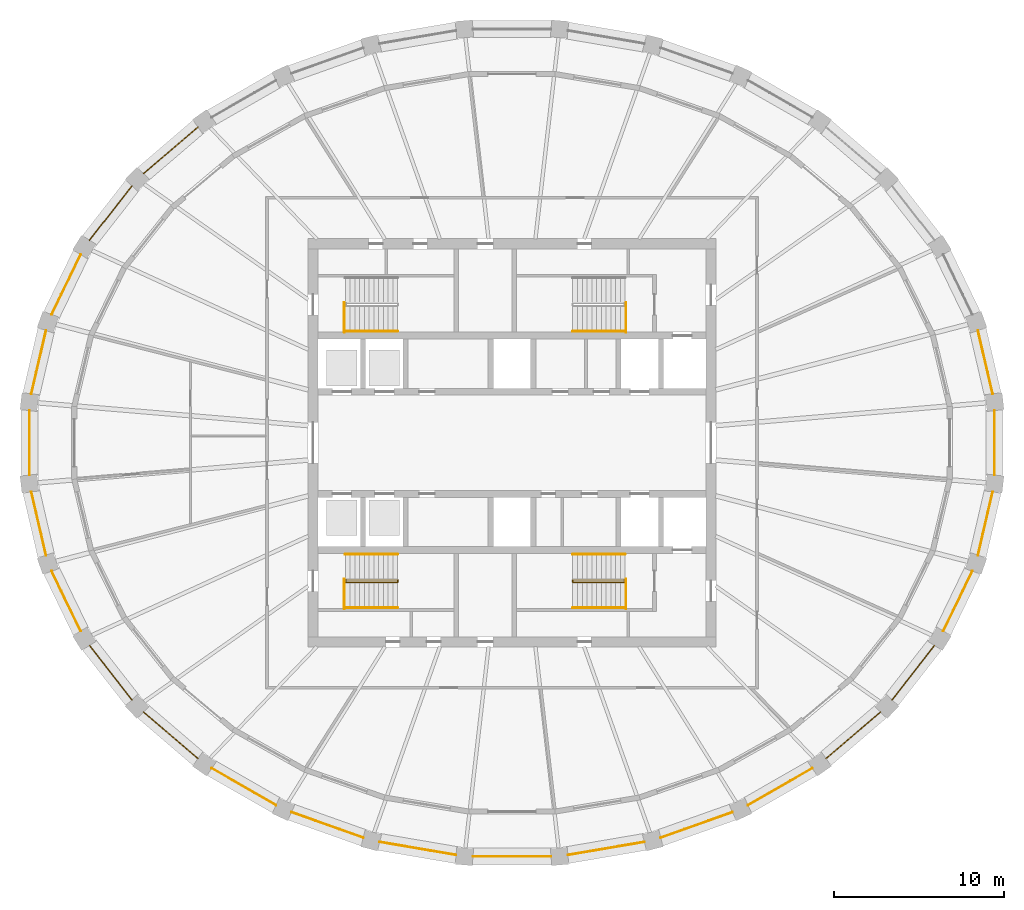
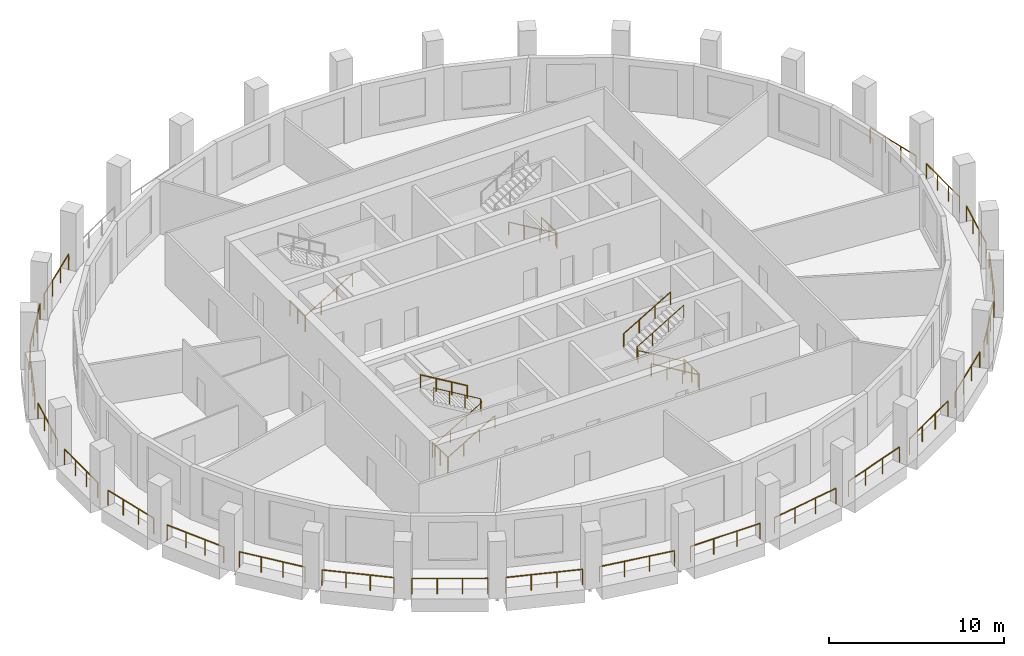
# One storey, part 8 of 10: 34 railings.
"""IFC4 building model written with IfcOpenShell, lengths in metres."""

from ifc_helpers import new_model, si_unit, direction, frame, origin, origin_2d, place, context, subcontext, project, spatial, circle, extrude, material, type_object, element, save


model = new_model("IFC4")

# Units and contexts
model_context = context("Model", 3, precision=1e-05, world=origin(), true_north=direction((0.0, 1.0)))
body_context = subcontext(model_context, "Body", "Model", "MODEL_VIEW")
ifc_project = project(units=[si_unit("LENGTHUNIT", "METRE"), si_unit("AREAUNIT", "SQUARE_METRE"), si_unit("VOLUMEUNIT", "CUBIC_METRE"), si_unit("PLANEANGLEUNIT", "RADIAN"), si_unit("MASSUNIT", "GRAM", prefix="KILO")], contexts=[model_context])

# Site, building, storey
site_placement = place(None, origin())
site = spatial("IfcSite", under=ifc_project, at=site_placement, CompositionType="ELEMENT")
building_placement = place(site_placement, origin())
building = spatial("IfcBuilding", under=site, at=building_placement, Name="Halqa Exchange Tower", CompositionType="ELEMENT")
storey_placement = place(building_placement, frame((0.0, 0.0, 316.300048828125)))
storey = spatial("IfcBuildingStorey", under=building, at=storey_placement, Name="L74", CompositionType="ELEMENT", Elevation=316.300048828125)

# Railings
ifc_material = material(Name="Stainless steel", Category="steel")
railing_type_1 = type_object("IfcRailingType", Name="Guard 1100 stainless steel", PredefinedType="GUARDRAIL", material=ifc_material)
railing_1_placement = place(storey_placement, frame((28.249755859375, 2.881591796875, 0.0)))
element("IfcRailing", 1, at=railing_1_placement, inside=storey, type_object=railing_type_1, Name="Loggia guard 1", PredefinedType="GUARDRAIL", context=body_context, shape_type="SweptSolid", body=[
    extrude(circle(Radius=0.02392578125, at=origin_2d()), frame((0.0, 0.0, 1.076171875), z_axis=(-0.226100478953, 0.97410398491, 0.0), x_axis=(-0.97410398491, -0.226100478953, 0.0)), (0.0, 0.0, 1.0), 3.8212890625),
    extrude(circle(Radius=0.02099609375, at=origin_2d()), origin(), (0.0, 0.0, 1.0), 1.052001953125),
    extrude(circle(Radius=0.02099609375, at=origin_2d()), frame((-0.2880859375, 1.24072265625, 0.0)), (0.0, 0.0, 1.0), 1.052001953125),
    extrude(circle(Radius=0.02099609375, at=origin_2d()), frame((-0.575927734375, 2.481689453125, 0.0)), (0.0, 0.0, 1.0), 1.052001953125),
    extrude(circle(Radius=0.02099609375, at=origin_2d()), frame((-0.864013671875, 3.722412109375, 0.0)), (0.0, 0.0, 1.0), 1.052001953125),
])
railing_2_placement = place(storey_placement, frame((-18.459716796875, 18.55810546875, 0.0)))
element("IfcRailing", 2, at=railing_2_placement, inside=storey, type_object=railing_type_1, Name="Loggia guard 12", PredefinedType="GUARDRAIL", context=body_context, shape_type="SweptSolid", body=[
    extrude(circle(Radius=0.02392578125, at=origin_2d()), frame((0.0, 0.0, 1.076171875), z_axis=(-0.75927300229, -0.650772239723, 0.0), x_axis=(0.650772239723, -0.75927300229, 0.0)), (0.0, 0.0, 1.0), 4.203125),
    extrude(circle(Radius=0.02099609375, at=origin_2d()), origin(), (0.0, 0.0, 1.0), 1.052001953125),
    extrude(circle(Radius=0.02099609375, at=origin_2d()), frame((-1.063720703125, -0.911865234375, 0.0)), (0.0, 0.0, 1.0), 1.052001953125),
    extrude(circle(Radius=0.02099609375, at=origin_2d()), frame((-2.127685546875, -1.823486328125, 0.0)), (0.0, 0.0, 1.0), 1.052001953125),
    extrude(circle(Radius=0.02099609375, at=origin_2d()), frame((-3.19140625, -2.7353515625, 0.0)), (0.0, 0.0, 1.0), 1.052001953125),
])
railing_3_placement = place(storey_placement, frame((-22.338134765625, 15.10302734375, 0.0)))
element("IfcRailing", 3, at=railing_3_placement, inside=storey, type_object=railing_type_1, Name="Loggia guard 13", PredefinedType="GUARDRAIL", context=body_context, shape_type="SweptSolid", body=[
    extrude(circle(Radius=0.02392578125, at=origin_2d()), frame((0.0, 0.0, 1.076171875), z_axis=(-0.614821078368, -0.788666622594, 0.0), x_axis=(0.788666622594, -0.614821078368, 0.0)), (0.0, 0.0, 1.0), 4.048828125),
    extrude(circle(Radius=0.02099609375, at=origin_2d()), origin(), (0.0, 0.0, 1.0), 1.052001953125),
    extrude(circle(Radius=0.02099609375, at=origin_2d()), frame((-0.829833984375, -1.064453125, 0.0)), (0.0, 0.0, 1.0), 1.052001953125),
    extrude(circle(Radius=0.02099609375, at=origin_2d()), frame((-1.659423828125, -2.128662109375, 0.0)), (0.0, 0.0, 1.0), 1.052001953125),
    extrude(circle(Radius=0.02099609375, at=origin_2d()), frame((-2.4892578125, -3.193115234375, 0.0)), (0.0, 0.0, 1.0), 1.052001953125),
])
railing_4_placement = place(storey_placement, frame((-25.352294921875, 11.0654296875, 0.0)))
element("IfcRailing", 4, at=railing_4_placement, inside=storey, type_object=railing_type_1, Name="Loggia guard 14", PredefinedType="GUARDRAIL", context=body_context, shape_type="SweptSolid", body=[
    extrude(circle(Radius=0.02392578125, at=origin_2d()), frame((0.0, 0.0, 1.076171875), z_axis=(-0.435146748862, -0.900359543158, 0.0), x_axis=(0.900359543158, -0.435146748862, 0.0)), (0.0, 0.0, 1.0), 3.913818359375),
    extrude(circle(Radius=0.02099609375, at=origin_2d()), origin(), (0.0, 0.0, 1.0), 1.052001953125),
    extrude(circle(Radius=0.02099609375, at=origin_2d()), frame((-0.567626953125, -1.174560546875, 0.0)), (0.0, 0.0, 1.0), 1.052001953125),
    extrude(circle(Radius=0.02099609375, at=origin_2d()), frame((-1.135498046875, -2.349365234375, 0.0)), (0.0, 0.0, 1.0), 1.052001953125),
    extrude(circle(Radius=0.02099609375, at=origin_2d()), frame((-1.703125, -3.52392578125, 0.0)), (0.0, 0.0, 1.0), 1.052001953125),
])
railing_5_placement = place(storey_placement, frame((-27.3857421875, 6.60400390625, 0.0)))
element("IfcRailing", 5, at=railing_5_placement, inside=storey, type_object=railing_type_1, Name="Loggia guard 15", PredefinedType="GUARDRAIL", context=body_context, shape_type="SweptSolid", body=[
    extrude(circle(Radius=0.02392578125, at=origin_2d()), frame((0.0, 0.0, 1.076171875), z_axis=(-0.226100478953, -0.97410398491, 0.0), x_axis=(0.97410398491, -0.226100478953, 0.0)), (0.0, 0.0, 1.0), 3.8212890625),
    extrude(circle(Radius=0.02099609375, at=origin_2d()), origin(), (0.0, 0.0, 1.0), 1.052001953125),
    extrude(circle(Radius=0.02099609375, at=origin_2d()), frame((-0.2880859375, -1.24072265625, 0.0)), (0.0, 0.0, 1.0), 1.052001953125),
    extrude(circle(Radius=0.02099609375, at=origin_2d()), frame((-0.575927734375, -2.481689453125, 0.0)), (0.0, 0.0, 1.0), 1.052001953125),
    extrude(circle(Radius=0.02099609375, at=origin_2d()), frame((-0.864013671875, -3.722412109375, 0.0)), (0.0, 0.0, 1.0), 1.052001953125),
])
railing_6_placement = place(storey_placement, frame((-28.36279296875, 1.894287109375, 0.0)))
element("IfcRailing", 6, at=railing_6_placement, inside=storey, type_object=railing_type_1, Name="Loggia guard 16", PredefinedType="GUARDRAIL", context=body_context, shape_type="SweptSolid", body=[
    extrude(circle(Radius=0.02392578125, at=origin_2d()), frame((0.0, 0.0, 1.076171875), z_axis=(0.0, -1.0, 0.0), x_axis=(1.0, 0.0, 0.0)), (0.0, 0.0, 1.0), 3.78857421875),
    extrude(circle(Radius=0.02099609375, at=origin_2d()), origin(), (0.0, 0.0, 1.0), 1.052001953125),
    extrude(circle(Radius=0.02099609375, at=origin_2d()), frame((0.0, -1.262939453125, 0.0)), (0.0, 0.0, 1.0), 1.052001953125),
    extrude(circle(Radius=0.02099609375, at=origin_2d()), frame((0.0, -2.525634765625, 0.0)), (0.0, 0.0, 1.0), 1.052001953125),
    extrude(circle(Radius=0.02099609375, at=origin_2d()), frame((0.0, -3.78857421875, 0.0)), (0.0, 0.0, 1.0), 1.052001953125),
])
railing_7_placement = place(storey_placement, frame((-28.249755859375, -2.881591796875, 0.0)))
element("IfcRailing", 7, at=railing_7_placement, inside=storey, type_object=railing_type_1, Name="Loggia guard 17", PredefinedType="GUARDRAIL", context=body_context, shape_type="SweptSolid", body=[
    extrude(circle(Radius=0.02392578125, at=origin_2d()), frame((0.0, 0.0, 1.076171875), z_axis=(0.226100478953, -0.97410398491, 0.0), x_axis=(0.97410398491, 0.226100478953, 0.0)), (0.0, 0.0, 1.0), 3.8212890625),
    extrude(circle(Radius=0.02099609375, at=origin_2d()), origin(), (0.0, 0.0, 1.0), 1.052001953125),
    extrude(circle(Radius=0.02099609375, at=origin_2d()), frame((0.2880859375, -1.24072265625, 0.0)), (0.0, 0.0, 1.0), 1.052001953125),
    extrude(circle(Radius=0.02099609375, at=origin_2d()), frame((0.575927734375, -2.481689453125, 0.0)), (0.0, 0.0, 1.0), 1.052001953125),
    extrude(circle(Radius=0.02099609375, at=origin_2d()), frame((0.864013671875, -3.722412109375, 0.0)), (0.0, 0.0, 1.0), 1.052001953125),
])
railing_8_placement = place(storey_placement, frame((-27.055419921875, -7.54150390625, 0.0)))
element("IfcRailing", 8, at=railing_8_placement, inside=storey, type_object=railing_type_1, Name="Loggia guard 18", PredefinedType="GUARDRAIL", context=body_context, shape_type="SweptSolid", body=[
    extrude(circle(Radius=0.02392578125, at=origin_2d()), frame((0.0, 0.0, 1.076171875), z_axis=(0.435146748862, -0.900359543158, 0.0), x_axis=(0.900359543158, 0.435146748862, 0.0)), (0.0, 0.0, 1.0), 3.913818359375),
    extrude(circle(Radius=0.02099609375, at=origin_2d()), origin(), (0.0, 0.0, 1.0), 1.052001953125),
    extrude(circle(Radius=0.02099609375, at=origin_2d()), frame((0.567626953125, -1.174560546875, 0.0)), (0.0, 0.0, 1.0), 1.052001953125),
    extrude(circle(Radius=0.02099609375, at=origin_2d()), frame((1.135498046875, -2.349365234375, 0.0)), (0.0, 0.0, 1.0), 1.052001953125),
    extrude(circle(Radius=0.02099609375, at=origin_2d()), frame((1.703125, -3.52392578125, 0.0)), (0.0, 0.0, 1.0), 1.052001953125),
])
railing_9_placement = place(storey_placement, frame((-24.827392578125, -11.909912109375, 0.0)))
element("IfcRailing", 9, at=railing_9_placement, inside=storey, type_object=railing_type_1, Name="Loggia guard 19", PredefinedType="GUARDRAIL", context=body_context, shape_type="SweptSolid", body=[
    extrude(circle(Radius=0.02392578125, at=origin_2d()), frame((0.0, 0.0, 1.076171875), z_axis=(0.614821078368, -0.788666622594, 0.0), x_axis=(0.788666622594, 0.614821078368, 0.0)), (0.0, 0.0, 1.0), 4.048828125),
    extrude(circle(Radius=0.02099609375, at=origin_2d()), origin(), (0.0, 0.0, 1.0), 1.052001953125),
    extrude(circle(Radius=0.02099609375, at=origin_2d()), frame((0.829833984375, -1.064453125, 0.0)), (0.0, 0.0, 1.0), 1.052001953125),
    extrude(circle(Radius=0.02099609375, at=origin_2d()), frame((1.659423828125, -2.128662109375, 0.0)), (0.0, 0.0, 1.0), 1.052001953125),
    extrude(circle(Radius=0.02099609375, at=origin_2d()), frame((2.4892578125, -3.193115234375, 0.0)), (0.0, 0.0, 1.0), 1.052001953125),
])
railing_10_placement = place(storey_placement, frame((-21.651123046875, -15.82275390625, 0.0)))
element("IfcRailing", 10, at=railing_10_placement, inside=storey, type_object=railing_type_1, Name="Loggia guard 20", PredefinedType="GUARDRAIL", context=body_context, shape_type="SweptSolid", body=[
    extrude(circle(Radius=0.02392578125, at=origin_2d()), frame((0.0, 0.0, 1.076171875), z_axis=(0.75927300229, -0.650772239723, 0.0), x_axis=(0.650772239723, 0.75927300229, 0.0)), (0.0, 0.0, 1.0), 4.203125),
    extrude(circle(Radius=0.02099609375, at=origin_2d()), origin(), (0.0, 0.0, 1.0), 1.052001953125),
    extrude(circle(Radius=0.02099609375, at=origin_2d()), frame((1.063720703125, -0.911865234375, 0.0)), (0.0, 0.0, 1.0), 1.052001953125),
    extrude(circle(Radius=0.02099609375, at=origin_2d()), frame((2.127685546875, -1.823486328125, 0.0)), (0.0, 0.0, 1.0), 1.052001953125),
    extrude(circle(Radius=0.02099609375, at=origin_2d()), frame((3.19140625, -2.7353515625, 0.0)), (0.0, 0.0, 1.0), 1.052001953125),
])
railing_11_placement = place(storey_placement, frame((-17.646240234375, -19.132080078125, 0.0)))
element("IfcRailing", 11, at=railing_11_placement, inside=storey, type_object=railing_type_1, Name="Loggia guard 21", PredefinedType="GUARDRAIL", context=body_context, shape_type="SweptSolid", body=[
    extrude(circle(Radius=0.02392578125, at=origin_2d()), frame((0.0, 0.0, 1.076171875), z_axis=(0.867752650497, -0.496996315434, 0.0), x_axis=(0.496996315434, 0.867752650497, 0.0)), (0.0, 0.0, 1.0), 4.353271484375),
    extrude(circle(Radius=0.02099609375, at=origin_2d()), origin(), (0.0, 0.0, 1.0), 1.052001953125),
    extrude(circle(Radius=0.02099609375, at=origin_2d()), frame((1.25927734375, -0.72119140625, 0.0)), (0.0, 0.0, 1.0), 1.052001953125),
    extrude(circle(Radius=0.02099609375, at=origin_2d()), frame((2.518310546875, -1.4423828125, 0.0)), (0.0, 0.0, 1.0), 1.052001953125),
    extrude(circle(Radius=0.02099609375, at=origin_2d()), frame((3.777587890625, -2.16357421875, 0.0)), (0.0, 0.0, 1.0), 1.052001953125),
])
railing_12_placement = place(storey_placement, frame((-12.963623046875, -21.71142578125, 0.0)))
element("IfcRailing", 12, at=railing_12_placement, inside=storey, type_object=railing_type_1, Name="Loggia guard 22", PredefinedType="GUARDRAIL", context=body_context, shape_type="SweptSolid", body=[
    extrude(circle(Radius=0.02392578125, at=origin_2d()), frame((0.0, 0.0, 1.076171875), z_axis=(0.942364531835, -0.334587939321, 0.0), x_axis=(0.334587939321, 0.942364531835, 0.0)), (0.0, 0.0, 1.0), 4.477294921875),
    extrude(circle(Radius=0.02099609375, at=origin_2d()), origin(), (0.0, 0.0, 1.0), 1.052001953125),
    extrude(circle(Radius=0.02099609375, at=origin_2d()), frame((1.406494140625, -0.499267578125, 0.0)), (0.0, 0.0, 1.0), 1.052001953125),
    extrude(circle(Radius=0.02099609375, at=origin_2d()), frame((2.812744140625, -0.998779296875, 0.0)), (0.0, 0.0, 1.0), 1.052001953125),
    extrude(circle(Radius=0.02099609375, at=origin_2d()), frame((4.21923828125, -1.498046875, 0.0)), (0.0, 0.0, 1.0), 1.052001953125),
])
railing_13_placement = place(storey_placement, frame((-7.7802734375, -23.460693359375, 0.0)))
element("IfcRailing", 13, at=railing_13_placement, inside=storey, type_object=railing_type_1, Name="Loggia guard 23", PredefinedType="GUARDRAIL", context=body_context, shape_type="SweptSolid", body=[
    extrude(circle(Radius=0.02392578125, at=origin_2d()), frame((0.0, 0.0, 1.076171875), z_axis=(0.985768911013, -0.168106079843, 0.0), x_axis=(0.168106079843, 0.985768911013, 0.0)), (0.0, 0.0, 1.0), 4.558837890625),
    extrude(circle(Radius=0.02099609375, at=origin_2d()), origin(), (0.0, 0.0, 1.0), 1.052001953125),
    extrude(circle(Radius=0.02099609375, at=origin_2d()), frame((1.498046875, -0.25537109375, 0.0)), (0.0, 0.0, 1.0), 1.052001953125),
    extrude(circle(Radius=0.02099609375, at=origin_2d()), frame((2.995849609375, -0.510986328125, 0.0)), (0.0, 0.0, 1.0), 1.052001953125),
    extrude(circle(Radius=0.02099609375, at=origin_2d()), frame((4.493896484375, -0.766357421875, 0.0)), (0.0, 0.0, 1.0), 1.052001953125),
])
railing_14_placement = place(storey_placement, frame((-2.29345703125, -24.31103515625, 0.0)))
element("IfcRailing", 14, at=railing_14_placement, inside=storey, type_object=railing_type_1, Name="Loggia guard 24", PredefinedType="GUARDRAIL", context=body_context, shape_type="SweptSolid", body=[
    extrude(circle(Radius=0.02392578125, at=origin_2d()), frame((0.0, 0.0, 1.076171875), z_axis=(1.0, 0.0, 0.0), x_axis=(0.0, 1.0, 0.0)), (0.0, 0.0, 1.0), 4.5869140625),
    extrude(circle(Radius=0.02099609375, at=origin_2d()), origin(), (0.0, 0.0, 1.0), 1.052001953125),
    extrude(circle(Radius=0.02099609375, at=origin_2d()), frame((1.529052734375, 0.0, 0.0)), (0.0, 0.0, 1.0), 1.052001953125),
    extrude(circle(Radius=0.02099609375, at=origin_2d()), frame((3.057861328125, 0.0, 0.0)), (0.0, 0.0, 1.0), 1.052001953125),
    extrude(circle(Radius=0.02099609375, at=origin_2d()), frame((4.5869140625, 0.0, 0.0)), (0.0, 0.0, 1.0), 1.052001953125),
])
railing_15_placement = place(storey_placement, frame((3.286376953125, -24.22705078125, 0.0)))
element("IfcRailing", 15, at=railing_15_placement, inside=storey, type_object=railing_type_1, Name="Loggia guard 25", PredefinedType="GUARDRAIL", context=body_context, shape_type="SweptSolid", body=[
    extrude(circle(Radius=0.02392578125, at=origin_2d()), frame((0.0, 0.0, 1.076171875), z_axis=(0.985768911013, 0.168106079843, 0.0), x_axis=(-0.168106079843, 0.985768911013, 0.0)), (0.0, 0.0, 1.0), 4.558837890625),
    extrude(circle(Radius=0.02099609375, at=origin_2d()), origin(), (0.0, 0.0, 1.0), 1.052001953125),
    extrude(circle(Radius=0.02099609375, at=origin_2d()), frame((1.498046875, 0.25537109375, 0.0)), (0.0, 0.0, 1.0), 1.052001953125),
    extrude(circle(Radius=0.02099609375, at=origin_2d()), frame((2.995849609375, 0.510986328125, 0.0)), (0.0, 0.0, 1.0), 1.052001953125),
    extrude(circle(Radius=0.02099609375, at=origin_2d()), frame((4.493896484375, 0.766357421875, 0.0)), (0.0, 0.0, 1.0), 1.052001953125),
])
railing_16_placement = place(storey_placement, frame((8.744384765625, -23.20947265625, 0.0)))
element("IfcRailing", 16, at=railing_16_placement, inside=storey, type_object=railing_type_1, Name="Loggia guard 26", PredefinedType="GUARDRAIL", context=body_context, shape_type="SweptSolid", body=[
    extrude(circle(Radius=0.02392578125, at=origin_2d()), frame((0.0, 0.0, 1.076171875), z_axis=(0.942364531835, 0.334587939321, 0.0), x_axis=(-0.334587939321, 0.942364531835, 0.0)), (0.0, 0.0, 1.0), 4.477294921875),
    extrude(circle(Radius=0.02099609375, at=origin_2d()), origin(), (0.0, 0.0, 1.0), 1.052001953125),
    extrude(circle(Radius=0.02099609375, at=origin_2d()), frame((1.406494140625, 0.499267578125, 0.0)), (0.0, 0.0, 1.0), 1.052001953125),
    extrude(circle(Radius=0.02099609375, at=origin_2d()), frame((2.812744140625, 0.998779296875, 0.0)), (0.0, 0.0, 1.0), 1.052001953125),
    extrude(circle(Radius=0.02099609375, at=origin_2d()), frame((4.21923828125, 1.498046875, 0.0)), (0.0, 0.0, 1.0), 1.052001953125),
])
railing_17_placement = place(storey_placement, frame((13.86865234375, -21.295654296875, 0.0)))
element("IfcRailing", 17, at=railing_17_placement, inside=storey, type_object=railing_type_1, Name="Loggia guard 27", PredefinedType="GUARDRAIL", context=body_context, shape_type="SweptSolid", body=[
    extrude(circle(Radius=0.02392578125, at=origin_2d()), frame((0.0, 0.0, 1.076171875), z_axis=(0.867752650497, 0.496996315434, 0.0), x_axis=(-0.496996315434, 0.867752650497, 0.0)), (0.0, 0.0, 1.0), 4.353271484375),
    extrude(circle(Radius=0.02099609375, at=origin_2d()), origin(), (0.0, 0.0, 1.0), 1.052001953125),
    extrude(circle(Radius=0.02099609375, at=origin_2d()), frame((1.25927734375, 0.72119140625, 0.0)), (0.0, 0.0, 1.0), 1.052001953125),
    extrude(circle(Radius=0.02099609375, at=origin_2d()), frame((2.518310546875, 1.4423828125, 0.0)), (0.0, 0.0, 1.0), 1.052001953125),
    extrude(circle(Radius=0.02099609375, at=origin_2d()), frame((3.777587890625, 2.16357421875, 0.0)), (0.0, 0.0, 1.0), 1.052001953125),
])
railing_18_placement = place(storey_placement, frame((18.459716796875, -18.55810546875, 0.0)))
element("IfcRailing", 18, at=railing_18_placement, inside=storey, type_object=railing_type_1, Name="Loggia guard 28", PredefinedType="GUARDRAIL", context=body_context, shape_type="SweptSolid", body=[
    extrude(circle(Radius=0.02392578125, at=origin_2d()), frame((0.0, 0.0, 1.076171875), z_axis=(0.75927300229, 0.650772239723, 0.0), x_axis=(-0.650772239723, 0.75927300229, 0.0)), (0.0, 0.0, 1.0), 4.203125),
    extrude(circle(Radius=0.02099609375, at=origin_2d()), origin(), (0.0, 0.0, 1.0), 1.052001953125),
    extrude(circle(Radius=0.02099609375, at=origin_2d()), frame((1.063720703125, 0.911865234375, 0.0)), (0.0, 0.0, 1.0), 1.052001953125),
    extrude(circle(Radius=0.02099609375, at=origin_2d()), frame((2.127685546875, 1.823486328125, 0.0)), (0.0, 0.0, 1.0), 1.052001953125),
    extrude(circle(Radius=0.02099609375, at=origin_2d()), frame((3.19140625, 2.7353515625, 0.0)), (0.0, 0.0, 1.0), 1.052001953125),
])
railing_19_placement = place(storey_placement, frame((22.338134765625, -15.10302734375, 0.0)))
element("IfcRailing", 19, at=railing_19_placement, inside=storey, type_object=railing_type_1, Name="Loggia guard 29", PredefinedType="GUARDRAIL", context=body_context, shape_type="SweptSolid", body=[
    extrude(circle(Radius=0.02392578125, at=origin_2d()), frame((0.0, 0.0, 1.076171875), z_axis=(0.614821078368, 0.788666622594, 0.0), x_axis=(-0.788666622594, 0.614821078368, 0.0)), (0.0, 0.0, 1.0), 4.048828125),
    extrude(circle(Radius=0.02099609375, at=origin_2d()), origin(), (0.0, 0.0, 1.0), 1.052001953125),
    extrude(circle(Radius=0.02099609375, at=origin_2d()), frame((0.829833984375, 1.064453125, 0.0)), (0.0, 0.0, 1.0), 1.052001953125),
    extrude(circle(Radius=0.02099609375, at=origin_2d()), frame((1.659423828125, 2.128662109375, 0.0)), (0.0, 0.0, 1.0), 1.052001953125),
    extrude(circle(Radius=0.02099609375, at=origin_2d()), frame((2.4892578125, 3.193115234375, 0.0)), (0.0, 0.0, 1.0), 1.052001953125),
])
railing_20_placement = place(storey_placement, frame((25.352294921875, -11.0654296875, 0.0)))
element("IfcRailing", 20, at=railing_20_placement, inside=storey, type_object=railing_type_1, Name="Loggia guard 30", PredefinedType="GUARDRAIL", context=body_context, shape_type="SweptSolid", body=[
    extrude(circle(Radius=0.02392578125, at=origin_2d()), frame((0.0, 0.0, 1.076171875), z_axis=(0.435146748862, 0.900359543158, 0.0), x_axis=(-0.900359543158, 0.435146748862, 0.0)), (0.0, 0.0, 1.0), 3.913818359375),
    extrude(circle(Radius=0.02099609375, at=origin_2d()), origin(), (0.0, 0.0, 1.0), 1.052001953125),
    extrude(circle(Radius=0.02099609375, at=origin_2d()), frame((0.567626953125, 1.174560546875, 0.0)), (0.0, 0.0, 1.0), 1.052001953125),
    extrude(circle(Radius=0.02099609375, at=origin_2d()), frame((1.135498046875, 2.349365234375, 0.0)), (0.0, 0.0, 1.0), 1.052001953125),
    extrude(circle(Radius=0.02099609375, at=origin_2d()), frame((1.703125, 3.52392578125, 0.0)), (0.0, 0.0, 1.0), 1.052001953125),
])
railing_21_placement = place(storey_placement, frame((27.3857421875, -6.60400390625, 0.0)))
element("IfcRailing", 21, at=railing_21_placement, inside=storey, type_object=railing_type_1, Name="Loggia guard 31", PredefinedType="GUARDRAIL", context=body_context, shape_type="SweptSolid", body=[
    extrude(circle(Radius=0.02392578125, at=origin_2d()), frame((0.0, 0.0, 1.076171875), z_axis=(0.226100478953, 0.97410398491, 0.0), x_axis=(-0.97410398491, 0.226100478953, 0.0)), (0.0, 0.0, 1.0), 3.8212890625),
    extrude(circle(Radius=0.02099609375, at=origin_2d()), origin(), (0.0, 0.0, 1.0), 1.052001953125),
    extrude(circle(Radius=0.02099609375, at=origin_2d()), frame((0.2880859375, 1.24072265625, 0.0)), (0.0, 0.0, 1.0), 1.052001953125),
    extrude(circle(Radius=0.02099609375, at=origin_2d()), frame((0.575927734375, 2.481689453125, 0.0)), (0.0, 0.0, 1.0), 1.052001953125),
    extrude(circle(Radius=0.02099609375, at=origin_2d()), frame((0.864013671875, 3.722412109375, 0.0)), (0.0, 0.0, 1.0), 1.052001953125),
])
railing_22_placement = place(storey_placement, frame((28.36279296875, -1.894287109375, 0.0)))
element("IfcRailing", 22, at=railing_22_placement, inside=storey, type_object=railing_type_1, Name="Loggia guard 32", PredefinedType="GUARDRAIL", context=body_context, shape_type="SweptSolid", body=[
    extrude(circle(Radius=0.02392578125, at=origin_2d()), frame((0.0, 0.0, 1.076171875), z_axis=(0.0, 1.0, 0.0), x_axis=(-1.0, 0.0, 0.0)), (0.0, 0.0, 1.0), 3.78857421875),
    extrude(circle(Radius=0.02099609375, at=origin_2d()), origin(), (0.0, 0.0, 1.0), 1.052001953125),
    extrude(circle(Radius=0.02099609375, at=origin_2d()), frame((0.0, 1.262939453125, 0.0)), (0.0, 0.0, 1.0), 1.052001953125),
    extrude(circle(Radius=0.02099609375, at=origin_2d()), frame((0.0, 2.525634765625, 0.0)), (0.0, 0.0, 1.0), 1.052001953125),
    extrude(circle(Radius=0.02099609375, at=origin_2d()), frame((0.0, 3.78857421875, 0.0)), (0.0, 0.0, 1.0), 1.052001953125),
])
railing_type_2 = type_object("IfcRailingType", Name="Stair handrail 900", PredefinedType="HANDRAIL", material=ifc_material)
railing_23_placement = place(storey_placement, frame((-9.800048828125, 6.550048828125, 0.166748046875)))
element("IfcRailing", 23, at=railing_23_placement, inside=storey, type_object=railing_type_2, Name="Handrail ST1.2", PredefinedType="HANDRAIL", context=body_context, shape_type="SweptSolid", body=[
    extrude(circle(Radius=0.02392578125, at=origin_2d()), frame((0.0, 0.0, 0.8759765625), z_axis=(0.859308565015, 0.0, 0.511457515432), x_axis=(0.0, 1.0, 0.0)), (0.0, 0.0, 1.0), 3.58447265625),
    extrude(circle(Radius=0.02099609375, at=origin_2d()), origin(), (0.0, 0.0, 1.0), 0.851806640625),
    extrude(circle(Radius=0.02099609375, at=origin_2d()), frame((1.026611328125, 0.0, 0.611083984375)), (0.0, 0.0, 1.0), 0.851806640625),
    extrude(circle(Radius=0.02099609375, at=origin_2d()), frame((2.053466796875, 0.0, 1.22216796875)), (0.0, 0.0, 1.0), 0.851806640625),
    extrude(circle(Radius=0.02099609375, at=origin_2d()), frame((3.080078125, 0.0, 1.833251953125)), (0.0, 0.0, 1.0), 0.851806640625),
])
railing_24_placement = place(storey_placement, frame((6.64990234375, 6.550048828125, 0.166748046875)))
element("IfcRailing", 24, at=railing_24_placement, inside=storey, type_object=railing_type_2, Name="Handrail ST2.2", PredefinedType="HANDRAIL", context=body_context, shape_type="SweptSolid", body=[
    extrude(circle(Radius=0.02392578125, at=origin_2d()), frame((0.0, 0.0, 0.8759765625), z_axis=(-0.859290745958, 0.0, 0.51148745235), x_axis=(0.0, -1.0, 0.0)), (0.0, 0.0, 1.0), 3.584228515625),
    extrude(circle(Radius=0.02099609375, at=origin_2d()), origin(), (0.0, 0.0, 1.0), 0.851806640625),
    extrude(circle(Radius=0.02099609375, at=origin_2d()), frame((-1.026611328125, 0.0, 0.611083984375)), (0.0, 0.0, 1.0), 0.851806640625),
    extrude(circle(Radius=0.02099609375, at=origin_2d()), frame((-2.05322265625, 0.0, 1.22216796875)), (0.0, 0.0, 1.0), 0.851806640625),
    extrude(circle(Radius=0.02099609375, at=origin_2d()), frame((-3.079833984375, 0.0, 1.833251953125)), (0.0, 0.0, 1.0), 0.851806640625),
])
railing_25_placement = place(storey_placement, frame((-9.800048828125, -8.18994140625, 0.166748046875)))
element("IfcRailing", 25, at=railing_25_placement, inside=storey, type_object=railing_type_2, Name="Handrail ST3.1", PredefinedType="HANDRAIL", context=body_context, shape_type="SweptSolid", body=[
    extrude(circle(Radius=0.02392578125, at=origin_2d()), frame((0.0, 0.0, 0.8759765625), z_axis=(0.859308565015, 0.0, 0.511457515432), x_axis=(0.0, 1.0, 0.0)), (0.0, 0.0, 1.0), 3.58447265625),
    extrude(circle(Radius=0.02392578125, at=origin_2d()), frame((3.080078125, 0.0, 2.708984375), z_axis=(0.0, 0.614500226555, 0.788916644243), x_axis=(-1.0, 0.0, 0.0)), (0.0, 0.0, 1.0), 0.21142578125),
    extrude(circle(Radius=0.02392578125, at=origin_2d()), frame((3.080078125, 0.1298828125, 2.8759765625), z_axis=(-0.859308565015, 0.0, 0.511457515432), x_axis=(0.0, -1.0, 0.0)), (0.0, 0.0, 1.0), 3.58447265625),
    extrude(circle(Radius=0.02099609375, at=origin_2d()), origin(), (0.0, 0.0, 1.0), 0.851806640625),
    extrude(circle(Radius=0.02099609375, at=origin_2d()), frame((1.026611328125, 0.0, 0.611083984375)), (0.0, 0.0, 1.0), 0.851806640625),
    extrude(circle(Radius=0.02099609375, at=origin_2d()), frame((2.053466796875, 0.0, 1.22216796875)), (0.0, 0.0, 1.0), 0.851806640625),
    extrude(circle(Radius=0.02099609375, at=origin_2d()), frame((3.080078125, 0.0, 1.833251953125)), (0.0, 0.0, 1.0), 0.851806640625),
    extrude(circle(Radius=0.02099609375, at=origin_2d()), frame((3.080078125, 0.1298828125, 2.0)), (0.0, 0.0, 1.0), 0.851806640625),
    extrude(circle(Radius=0.02099609375, at=origin_2d()), frame((2.053466796875, 0.1298828125, 2.611083984375)), (0.0, 0.0, 1.0), 0.851806640625),
    extrude(circle(Radius=0.02099609375, at=origin_2d()), frame((1.026611328125, 0.1298828125, 3.22216796875)), (0.0, 0.0, 1.0), 0.851806640625),
    extrude(circle(Radius=0.02099609375, at=origin_2d()), frame((0.0, 0.1298828125, 3.833251953125)), (0.0, 0.0, 1.0), 0.851806640625),
])
railing_26_placement = place(storey_placement, frame((-9.800048828125, -9.699951171875, 0.166748046875)))
element("IfcRailing", 26, at=railing_26_placement, inside=storey, type_object=railing_type_2, Name="Handrail ST3.2", PredefinedType="HANDRAIL", context=body_context, shape_type="SweptSolid", body=[
    extrude(circle(Radius=0.02392578125, at=origin_2d()), frame((0.0, 0.0, 0.8759765625), z_axis=(0.859308565015, 0.0, 0.511457515432), x_axis=(0.0, 1.0, 0.0)), (0.0, 0.0, 1.0), 3.58447265625),
    extrude(circle(Radius=0.02099609375, at=origin_2d()), origin(), (0.0, 0.0, 1.0), 0.851806640625),
    extrude(circle(Radius=0.02099609375, at=origin_2d()), frame((1.026611328125, 0.0, 0.611083984375)), (0.0, 0.0, 1.0), 0.851806640625),
    extrude(circle(Radius=0.02099609375, at=origin_2d()), frame((2.053466796875, 0.0, 1.22216796875)), (0.0, 0.0, 1.0), 0.851806640625),
    extrude(circle(Radius=0.02099609375, at=origin_2d()), frame((3.080078125, 0.0, 1.833251953125)), (0.0, 0.0, 1.0), 0.851806640625),
])
railing_27_placement = place(storey_placement, frame((-6.719970703125, -6.550048828125, 2.166748046875)))
element("IfcRailing", 27, at=railing_27_placement, inside=storey, type_object=railing_type_2, Name="Handrail ST3.3", PredefinedType="HANDRAIL", context=body_context, shape_type="SweptSolid", body=[
    extrude(circle(Radius=0.02392578125, at=origin_2d()), frame((0.0, 0.0, 0.8759765625), z_axis=(-0.859308565015, 0.0, 0.511457515432), x_axis=(0.0, -1.0, 0.0)), (0.0, 0.0, 1.0), 3.58447265625),
    extrude(circle(Radius=0.02099609375, at=origin_2d()), origin(), (0.0, 0.0, 1.0), 0.851806640625),
    extrude(circle(Radius=0.02099609375, at=origin_2d()), frame((-1.026611328125, 0.0, 0.611083984375)), (0.0, 0.0, 1.0), 0.851806640625),
    extrude(circle(Radius=0.02099609375, at=origin_2d()), frame((-2.053466796875, 0.0, 1.22216796875)), (0.0, 0.0, 1.0), 0.851806640625),
    extrude(circle(Radius=0.02099609375, at=origin_2d()), frame((-3.080078125, 0.0, 1.833251953125)), (0.0, 0.0, 1.0), 0.851806640625),
])
railing_28_placement = place(storey_placement, frame((6.64990234375, -8.18994140625, 0.166748046875)))
element("IfcRailing", 28, at=railing_28_placement, inside=storey, type_object=railing_type_2, Name="Handrail ST4.1", PredefinedType="HANDRAIL", context=body_context, shape_type="SweptSolid", body=[
    extrude(circle(Radius=0.02392578125, at=origin_2d()), frame((0.0, 0.0, 0.8759765625), z_axis=(-0.859290745958, 0.0, 0.51148745235), x_axis=(0.0, -1.0, 0.0)), (0.0, 0.0, 1.0), 3.584228515625),
    extrude(circle(Radius=0.02392578125, at=origin_2d()), frame((-3.079833984375, 0.0, 2.708984375), z_axis=(0.0, 0.614500226555, 0.788916644243), x_axis=(-1.0, 0.0, 0.0)), (0.0, 0.0, 1.0), 0.21142578125),
    extrude(circle(Radius=0.02392578125, at=origin_2d()), frame((-3.079833984375, 0.1298828125, 2.8759765625), z_axis=(0.859290745958, 0.0, 0.51148745235), x_axis=(0.0, 1.0, 0.0)), (0.0, 0.0, 1.0), 3.584228515625),
    extrude(circle(Radius=0.02099609375, at=origin_2d()), origin(), (0.0, 0.0, 1.0), 0.851806640625),
    extrude(circle(Radius=0.02099609375, at=origin_2d()), frame((-1.026611328125, 0.0, 0.611083984375)), (0.0, 0.0, 1.0), 0.851806640625),
    extrude(circle(Radius=0.02099609375, at=origin_2d()), frame((-2.05322265625, 0.0, 1.22216796875)), (0.0, 0.0, 1.0), 0.851806640625),
    extrude(circle(Radius=0.02099609375, at=origin_2d()), frame((-3.079833984375, 0.0, 1.833251953125)), (0.0, 0.0, 1.0), 0.851806640625),
    extrude(circle(Radius=0.02099609375, at=origin_2d()), frame((-3.079833984375, 0.1298828125, 2.0)), (0.0, 0.0, 1.0), 0.851806640625),
    extrude(circle(Radius=0.02099609375, at=origin_2d()), frame((-2.05322265625, 0.1298828125, 2.611083984375)), (0.0, 0.0, 1.0), 0.851806640625),
    extrude(circle(Radius=0.02099609375, at=origin_2d()), frame((-1.026611328125, 0.1298828125, 3.22216796875)), (0.0, 0.0, 1.0), 0.851806640625),
    extrude(circle(Radius=0.02099609375, at=origin_2d()), frame((0.0, 0.1298828125, 3.833251953125)), (0.0, 0.0, 1.0), 0.851806640625),
])
railing_29_placement = place(storey_placement, frame((6.64990234375, -9.699951171875, 0.166748046875)))
element("IfcRailing", 29, at=railing_29_placement, inside=storey, type_object=railing_type_2, Name="Handrail ST4.2", PredefinedType="HANDRAIL", context=body_context, shape_type="SweptSolid", body=[
    extrude(circle(Radius=0.02392578125, at=origin_2d()), frame((0.0, 0.0, 0.8759765625), z_axis=(-0.859290745958, 0.0, 0.51148745235), x_axis=(0.0, -1.0, 0.0)), (0.0, 0.0, 1.0), 3.584228515625),
    extrude(circle(Radius=0.02099609375, at=origin_2d()), origin(), (0.0, 0.0, 1.0), 0.851806640625),
    extrude(circle(Radius=0.02099609375, at=origin_2d()), frame((-1.026611328125, 0.0, 0.611083984375)), (0.0, 0.0, 1.0), 0.851806640625),
    extrude(circle(Radius=0.02099609375, at=origin_2d()), frame((-2.05322265625, 0.0, 1.22216796875)), (0.0, 0.0, 1.0), 0.851806640625),
    extrude(circle(Radius=0.02099609375, at=origin_2d()), frame((-3.079833984375, 0.0, 1.833251953125)), (0.0, 0.0, 1.0), 0.851806640625),
])
railing_30_placement = place(storey_placement, frame((3.570068359375, -6.550048828125, 2.166748046875)))
element("IfcRailing", 30, at=railing_30_placement, inside=storey, type_object=railing_type_2, Name="Handrail ST4.3", PredefinedType="HANDRAIL", context=body_context, shape_type="SweptSolid", body=[
    extrude(circle(Radius=0.02392578125, at=origin_2d()), frame((0.0, 0.0, 0.8759765625), z_axis=(0.859290745958, 0.0, 0.51148745235), x_axis=(0.0, 1.0, 0.0)), (0.0, 0.0, 1.0), 3.584228515625),
    extrude(circle(Radius=0.02099609375, at=origin_2d()), origin(), (0.0, 0.0, 1.0), 0.851806640625),
    extrude(circle(Radius=0.02099609375, at=origin_2d()), frame((1.026611328125, 0.0, 0.611083984375)), (0.0, 0.0, 1.0), 0.851806640625),
    extrude(circle(Radius=0.02099609375, at=origin_2d()), frame((2.05322265625, 0.0, 1.22216796875)), (0.0, 0.0, 1.0), 0.851806640625),
    extrude(circle(Radius=0.02099609375, at=origin_2d()), frame((3.079833984375, 0.0, 1.833251953125)), (0.0, 0.0, 1.0), 0.851806640625),
])
railing_type_3 = type_object("IfcRailingType", Name="Stair well guard 1100", PredefinedType="GUARDRAIL", material=ifc_material)
for number, where, name in (
    (31, (-9.85009765625, 6.5, 0.0), "Guard ST1 well"),
    (32, (6.699951171875, 6.5, 0.0), "Guard ST2 well"),
    (33, (-9.85009765625, -9.75, 0.0), "Guard ST3 well"),
    (34, (6.699951171875, -9.75, 0.0), "Guard ST4 well"),
):
    element("IfcRailing", number, at=place(storey_placement, frame(where)), inside=storey, type_object=railing_type_3, Name=name, PredefinedType="GUARDRAIL", context=body_context, shape_type="SweptSolid", body=[
        extrude(circle(Radius=0.02392578125, at=origin_2d()), frame((0.0, 0.0, 1.076171875), z_axis=(0.0, 1.0, 0.0), x_axis=(-1.0, 0.0, 0.0)), (0.0, 0.0, 1.0), 1.75),
        extrude(circle(Radius=0.02099609375, at=origin_2d()), origin(), (0.0, 0.0, 1.0), 1.052001953125),
        extrude(circle(Radius=0.02099609375, at=origin_2d()), frame((0.0, 0.875, 0.0)), (0.0, 0.0, 1.0), 1.052001953125),
        extrude(circle(Radius=0.02099609375, at=origin_2d()), frame((0.0, 1.75, 0.0)), (0.0, 0.0, 1.0), 1.052001953125),
    ])

save(model, "model.ifc")
